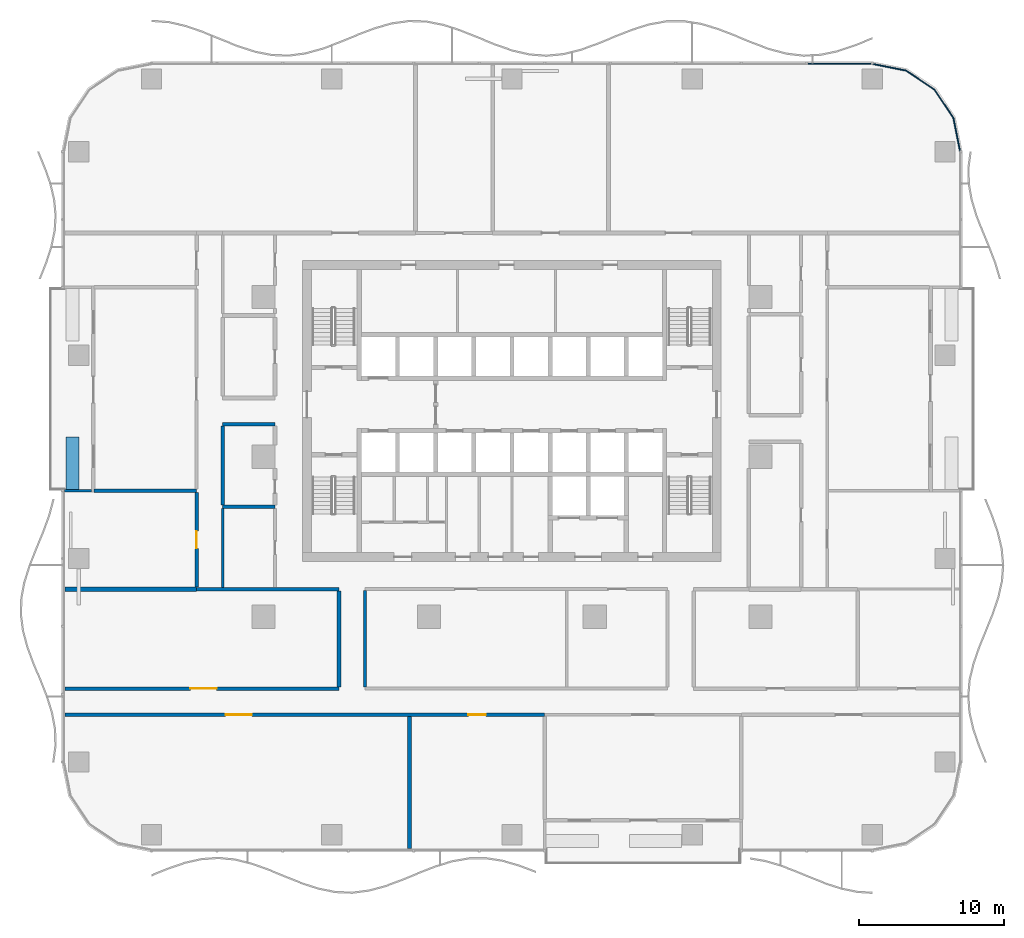
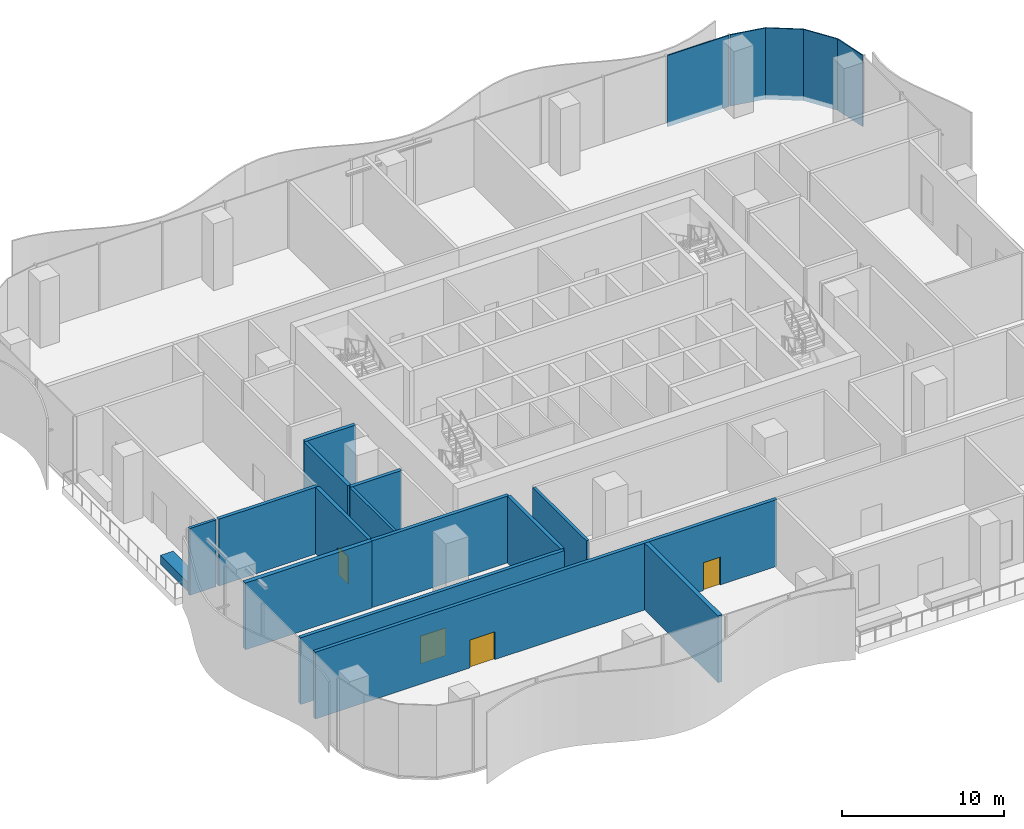
# One storey, part 7 of 20: 15 walls, 4 doors, 2 plates, 4 openings, 2 elements without a shape of their own.
"""IFC4 building model written with IfcOpenShell, lengths in metres."""

from ifc_helpers import new_model, si_unit, direction, frame, frame_2d, origin, origin_2d, place, context, subcontext, project, spatial, polyline, rectangle, outline, extrude, material, layer, layer_set, type_object, element, fill, aggregate, save


model = new_model("IFC4")

# Units and contexts
model_context = context("Model", 3, precision=1e-05, world=origin(), true_north=direction((0.0, 1.0)))
body_context = subcontext(model_context, "Body", "Model", "MODEL_VIEW")
ifc_project = project(units=[si_unit("LENGTHUNIT", "METRE"), si_unit("AREAUNIT", "SQUARE_METRE"), si_unit("VOLUMEUNIT", "CUBIC_METRE"), si_unit("PLANEANGLEUNIT", "RADIAN"), si_unit("MASSUNIT", "GRAM", prefix="KILO")], contexts=[model_context])

# Site, building, storey
site_placement = place(None, origin())
site = spatial("IfcSite", under=ifc_project, at=site_placement, CompositionType="ELEMENT")
building_placement = place(site_placement, origin())
building = spatial("IfcBuilding", under=site, at=building_placement, Name="Mopane Tessera Tower", CompositionType="ELEMENT")
storey_placement = place(building_placement, frame((0.0, 0.0, 25.5)))
storey = spatial("IfcBuildingStorey", under=building, at=storey_placement, Name="L04", CompositionType="ELEMENT", Elevation=25.5)

# Curtain wall, plate
ifc_material_1 = material(Name="Aluminium frame", Category="aluminium")
curtain_wall_type = type_object("IfcCurtainWallType", Name="Podium unitised wall", PredefinedType="NOTDEFINED", material=ifc_material_1)
curtain_wall_1_placement = place(storey_placement, origin())
curtain_wall_1 = element("IfcCurtainWall", 1, at=curtain_wall_1_placement, inside=storey, type_object=curtain_wall_type, Name="e:cw:L04:CE", PredefinedType="NOTDEFINED")
ifc_material_2 = material(Name="Limestone spandrel", Category="masonry")
ifc_layer_1 = layer(ifc_material_2, 0.080078125)
ifc_layer_set_1 = layer_set([ifc_layer_1], Name="Limestone spandrel")
plate_type = type_object("IfcPlateType", Name="Podium stone spandrel unit", PredefinedType="CURTAIN_PANEL", material=ifc_layer_set_1)
plate_1_placement = place(storey_placement, frame((0.0, 0.0, -0.340087890625)))
plate_1 = element("IfcPlate", 2, at=plate_1_placement, type_object=plate_type, Name="e:cw:L04:CE:pn", PredefinedType="CURTAIN_PANEL", context=body_context, shape_type="SweptSolid", body=[
    extrude(outline(polyline([(30.800048828125, 21.0), (30.34326171875, 23.296142578125), (29.042724609375, 25.24267578125), (27.09619140625, 26.543212890625), (24.800048828125, 27.0), (24.800048828125, 27.080078125), (27.126708984375, 26.6171875), (29.09912109375, 25.29931640625), (30.417236328125, 23.32666015625), (30.8798828125, 21.0), (30.800048828125, 21.0)])), origin(), (0.0, 0.0, 1.0), 5.39013671875),
])
aggregate(curtain_wall_1, [plate_1])

curtain_wall_2_placement = place(storey_placement, origin())
curtain_wall_2 = element("IfcCurtainWall", 3, at=curtain_wall_2_placement, inside=storey, type_object=curtain_wall_type, Name="e:cw:L04:N:0", PredefinedType="NOTDEFINED")
plate_2_placement = place(storey_placement, frame((22.54541015625, 27.0400390625, -0.33984375), z_axis=(0.0, 0.0, 1.0), x_axis=(-1.0, 0.0, 0.0)))
plate_2 = element("IfcPlate", 4, at=plate_2_placement, type_object=plate_type, Name="e:cw:L04:N:0:pn0", PredefinedType="CURTAIN_PANEL", context=body_context, shape_type="SweptSolid", body=[
    extrude(rectangle(XDim=4.384033203125, YDim=0.080078125, at=origin_2d()), origin(), (0.0, 0.0, 1.0), 5.389892578125),
])
aggregate(curtain_wall_2, [plate_2])

# Walls
ifc_material_3 = material(Name="Gypsum board on steel studs, two layers each face, mineral wool infill", Category="steel")
ifc_layer_2 = layer(ifc_material_3, 0.199951171875)
ifc_layer_set_2 = layer_set([ifc_layer_2], Name="Gypsum board on steel studs, two layers each face, mineral wool infill")
wall_type_1 = type_object("IfcWallType", Name="Gypsum board corridor wall 200, rated EI 60", PredefinedType="PARTITIONING", material=ifc_layer_set_2)
wall_1_placement = place(storey_placement, frame((-19.89990234375, -8.97509765625, 0.0), z_axis=(0.0, 0.0, 1.0), x_axis=(0.0, 1.0, 0.0)))
element("IfcWall", 5, at=wall_1_placement, inside=storey, type_object=wall_type_1, Name="Partition L04:034", PredefinedType="PARTITIONING", context=body_context, shape_type="SweptSolid", body=[
    extrude(rectangle(XDim=5.425048828125, YDim=0.199951171875, at=frame_2d((2.71240234375, 0.0))), origin(), (0.0, 0.0, 1.0), 5.050048828125),
])
wall_2_placement = place(storey_placement, frame((-10.10009765625, -15.85009765625, 0.0), z_axis=(0.0, 0.0, 1.0), x_axis=(0.0, 1.0, 0.0)))
element("IfcWall", 6, at=wall_2_placement, inside=storey, type_object=wall_type_1, Name="Partition L04:045", PredefinedType="PARTITIONING", context=body_context, shape_type="SweptSolid", body=[
    extrude(rectangle(XDim=6.650146484375, YDim=0.199951171875, at=frame_2d((3.3251953125, 0.0))), origin(), (0.0, 0.0, 1.0), 5.050048828125),
])
ifc_material_4 = material(Name="Reinforced concrete C32/40 with waterproofing", Category="concrete")
ifc_layer_3 = layer(ifc_material_4, 0.89990234375)
ifc_layer_set_3 = layer_set([ifc_layer_3], Name="Reinforced concrete C32/40 with waterproofing")
wall_type_2 = type_object("IfcWallType", Name="Planter trough 3600 x 900", PredefinedType="STANDARD", material=ifc_layer_set_3)
wall_3_placement = place(storey_placement, frame((-30.25, 1.36669921875, 0.0), z_axis=(0.0, 0.0, 1.0), x_axis=(0.0, -1.0, 0.0)))
element("IfcWall", 7, at=wall_3_placement, inside=storey, type_object=wall_type_2, Name="e:nw:L04:N3:pl1", PredefinedType="STANDARD", context=body_context, shape_type="SweptSolid", body=[
    extrude(rectangle(XDim=3.60009765625, YDim=0.89990234375, at=frame_2d((1.800048828125, 0.0))), origin(), (0.0, 0.0, 1.0), 0.699951171875),
])
ifc_material_5 = material(Name="Plastered concrete blockwork C20/25", Category="masonry")
ifc_layer_4 = layer(ifc_material_5, 0.300048828125)
ifc_layer_set_4 = layer_set([ifc_layer_4], Name="Plastered concrete blockwork C20/25")
wall_type_3 = type_object("IfcWallType", Name="Plastered blockwork separation wall 300, rated EI 120", PredefinedType="PARTITIONING", material=ifc_layer_set_4)
wall_4_placement = place(storey_placement, frame((-30.75, -9.10009765625, 0.0), z_axis=(0.0, 0.0, 1.0), x_axis=(1.0, 0.0, 0.0)))
element("IfcWall", 8, at=wall_4_placement, inside=storey, type_object=wall_type_3, Name="Partition L04:012", PredefinedType="PARTITIONING", context=body_context, shape_type="SweptSolid", body=[
    extrude(rectangle(XDim=9.050048828125, YDim=0.300048828125, at=frame_2d((4.52490234375, 0.0))), origin(), (0.0, 0.0, 1.0), 5.050048828125),
])
wall_5_placement = place(storey_placement, frame((-7.050048828125, -26.949951171875, 0.0), z_axis=(0.0, 0.0, 1.0), x_axis=(0.0, 1.0, 0.0)))
element("IfcWall", 9, at=wall_5_placement, inside=storey, type_object=wall_type_3, Name="Partition L04:046", PredefinedType="PARTITIONING", context=body_context, shape_type="SweptSolid", body=[
    extrude(rectangle(XDim=9.074951171875, YDim=0.300048828125, at=frame_2d((4.53759765625, 0.0))), origin(), (0.0, 0.0, 1.0), 5.050048828125),
])

# Wall, openings, doors
ifc_material_6 = material(Name="Plastered concrete blockwork C20/25", Category="masonry")
ifc_layer_5 = layer(ifc_material_6, 0.25)
ifc_layer_set_5 = layer_set([ifc_layer_5], Name="Plastered concrete blockwork C20/25")
wall_type_4 = type_object("IfcWallType", Name="Plastered blockwork wall 250, rated EI 120", PredefinedType="PARTITIONING", material=ifc_layer_set_5)
wall_6_placement = place(storey_placement, frame((-30.75, -17.75, 0.0), z_axis=(0.0, 0.0, 1.0), x_axis=(1.0, 0.0, 0.0)))
wall_6 = element("IfcWall", 10, at=wall_6_placement, inside=storey, type_object=wall_type_4, Name="Partition L04:001", PredefinedType="PARTITIONING", context=body_context, shape_type="SweptSolid", body=[
    extrude(rectangle(XDim=33.0048828125, YDim=0.25, at=frame_2d((16.50244140625, 0.0))), origin(), (0.0, 0.0, 1.0), 5.050048828125),
])
opening_1_placement = place(wall_6_placement, frame((27.75244140625, 0.0, 0.0)))
opening_1 = element("IfcOpeningElement", 11, at=opening_1_placement, cuts=wall_6, Name="Opening L04-04", PredefinedType="OPENING", context=body_context, shape_type="SweptSolid", body=[
    extrude(rectangle(XDim=1.199951171875, YDim=2.10009765625, at=frame_2d((0.60009765625, 1.050048828125))), frame((0.0, 0.136962890625, 0.0), z_axis=(0.0, -1.0, 0.0), x_axis=(1.0, 0.0, 0.0)), (0.0, 0.0, 1.0), 0.27392578125),
])
opening_2_placement = place(wall_6_placement, frame((11.050048828125, 0.0, 0.0)))
opening_2 = element("IfcOpeningElement", 12, at=opening_2_placement, cuts=wall_6, Name="Opening L04-09", PredefinedType="OPENING", context=body_context, shape_type="SweptSolid", body=[
    extrude(rectangle(XDim=1.800048828125, YDim=2.10009765625, at=frame_2d((0.89990234375, 1.050048828125))), frame((0.0, 0.136962890625, 0.0), z_axis=(0.0, -1.0, 0.0), x_axis=(1.0, 0.0, 0.0)), (0.0, 0.0, 1.0), 0.27392578125),
])
ifc_material_7 = material(Name="Timber veneered steel-framed fire door", Category="steel")
door_type_1 = type_object("IfcDoorType", Name="Fire door FD120 1200 x 2100", OperationType="SINGLE_SWING_LEFT", PredefinedType="DOOR", material=ifc_material_7)
door_1_placement = place(opening_1_placement, origin())
door_1 = element("IfcDoor", 13, at=door_1_placement, inside=storey, type_object=door_type_1, Name="Door L04-04", ObjectType="D15B", OperationType="SINGLE_SWING_LEFT", OverallHeight=2.10009765625, OverallWidth=1.199951171875, PredefinedType="DOOR", context=body_context, shape_type="SweptSolid", body=[
    extrude(rectangle(XDim=1.199951171875, YDim=2.10009765625, at=frame_2d((0.60009765625, 1.050048828125))), frame((0.0, 0.02490234375, 0.0), z_axis=(0.0, -1.0, 0.0), x_axis=(1.0, 0.0, 0.0)), (0.0, 0.0, 1.0), 0.050048828125),
])
fill(opening_1, door_1)
ifc_material_8 = material(Name="Timber veneered steel-framed fire door", Category="steel")
door_type_2 = type_object("IfcDoorType", Name="Fire door pair FD120 1800 x 2100", OperationType="DOUBLE_DOOR_SINGLE_SWING", PredefinedType="DOOR", material=ifc_material_8)
door_2_placement = place(opening_2_placement, origin())
door_2 = element("IfcDoor", 14, at=door_2_placement, inside=storey, type_object=door_type_2, Name="Door L04-09", ObjectType="D20B", OperationType="DOUBLE_DOOR_SINGLE_SWING", OverallHeight=2.10009765625, OverallWidth=1.800048828125, PredefinedType="DOOR", context=body_context, shape_type="SweptSolid", body=[
    extrude(rectangle(XDim=1.800048828125, YDim=2.10009765625, at=frame_2d((0.89990234375, 1.050048828125))), frame((0.0, 0.02490234375, 0.0), z_axis=(0.0, -1.0, 0.0), x_axis=(1.0, 0.0, 0.0)), (0.0, 0.0, 1.0), 0.050048828125),
])
fill(opening_2, door_2)

# Wall, opening, door
wall_7_placement = place(storey_placement, frame((-30.75, -15.949951171875, 0.0), z_axis=(0.0, 0.0, 1.0), x_axis=(1.0, 0.0, 0.0)))
wall_7 = element("IfcWall", 15, at=wall_7_placement, inside=storey, type_object=wall_type_4, Name="Partition L04:005", PredefinedType="PARTITIONING", context=body_context, shape_type="SweptSolid", body=[
    extrude(rectangle(XDim=18.85009765625, YDim=0.25, at=frame_2d((9.425048828125, 0.0))), origin(), (0.0, 0.0, 1.0), 5.050048828125),
])
opening_3_placement = place(wall_7_placement, frame((8.625, 0.0, 0.0)))
opening_3 = element("IfcOpeningElement", 16, at=opening_3_placement, cuts=wall_7, Name="Opening L04-13", PredefinedType="OPENING", context=body_context, shape_type="SweptSolid", body=[
    extrude(rectangle(XDim=1.800048828125, YDim=2.10009765625, at=frame_2d((0.89990234375, 1.050048828125))), frame((0.0, 0.136962890625, 0.0), z_axis=(0.0, -1.0, 0.0), x_axis=(1.0, 0.0, 0.0)), (0.0, 0.0, 1.0), 0.27392578125),
])
door_3_placement = place(opening_3_placement, origin())
door_3 = element("IfcDoor", 17, at=door_3_placement, inside=storey, type_object=door_type_2, Name="Door L04-13", ObjectType="D20B", OperationType="DOUBLE_DOOR_SINGLE_SWING", OverallHeight=2.10009765625, OverallWidth=1.800048828125, PredefinedType="DOOR", context=body_context, shape_type="SweptSolid", body=[
    extrude(rectangle(XDim=1.800048828125, YDim=2.10009765625, at=frame_2d((0.89990234375, 1.050048828125))), frame((0.0, 0.02490234375, 0.0), z_axis=(0.0, -1.0, 0.0), x_axis=(1.0, 0.0, 0.0)), (0.0, 0.0, 1.0), 0.050048828125),
])
fill(opening_3, door_3)

# Walls
wall_8_placement = place(storey_placement, frame((-21.699951171875, -9.10009765625, 0.0), z_axis=(0.0, 0.0, 1.0), x_axis=(1.0, 0.0, 0.0)))
element("IfcWall", 18, at=wall_8_placement, inside=storey, type_object=wall_type_4, Name="Partition L04:009", PredefinedType="PARTITIONING", context=body_context, shape_type="SweptSolid", body=[
    extrude(rectangle(XDim=9.800048828125, YDim=0.25, at=frame_2d((4.89990234375, 0.0))), origin(), (0.0, 0.0, 1.0), 5.050048828125),
])
wall_9_placement = place(storey_placement, frame((-19.89990234375, -3.425048828125, 0.0), z_axis=(0.0, 0.0, 1.0), x_axis=(1.0, 0.0, 0.0)))
element("IfcWall", 19, at=wall_9_placement, inside=storey, type_object=wall_type_4, Name="Partition L04:014", PredefinedType="PARTITIONING", context=body_context, shape_type="SweptSolid", body=[
    extrude(rectangle(XDim=3.599853515625, YDim=0.25, at=frame_2d((1.7998046875, 0.0))), origin(), (0.0, 0.0, 1.0), 5.050048828125),
])
wall_10_placement = place(storey_placement, frame((-28.75, -2.3349609375, 0.0), z_axis=(0.0, 0.0, 1.0), x_axis=(1.0, 0.0, 0.0)))
element("IfcWall", 20, at=wall_10_placement, inside=storey, type_object=wall_type_4, Name="Partition L04:016", PredefinedType="PARTITIONING", context=body_context, shape_type="SweptSolid", body=[
    extrude(rectangle(XDim=7.050048828125, YDim=0.25, at=frame_2d((3.52490234375, 0.0))), origin(), (0.0, 0.0, 1.0), 5.050048828125),
])
wall_11_placement = place(storey_placement, frame((-19.89990234375, 2.25, 0.0), z_axis=(0.0, 0.0, 1.0), x_axis=(1.0, 0.0, 0.0)))
element("IfcWall", 21, at=wall_11_placement, inside=storey, type_object=wall_type_4, Name="Partition L04:018", PredefinedType="PARTITIONING", context=body_context, shape_type="SweptSolid", body=[
    extrude(rectangle(XDim=3.599853515625, YDim=0.25, at=frame_2d((1.7998046875, 0.0))), origin(), (0.0, 0.0, 1.0), 5.050048828125),
])

# Wall, opening, door
wall_12_placement = place(storey_placement, frame((-21.699951171875, -8.949951171875, 0.0), z_axis=(0.0, 0.0, 1.0), x_axis=(0.0, 1.0, 0.0)))
wall_12 = element("IfcWall", 22, at=wall_12_placement, inside=storey, type_object=wall_type_4, Name="Partition L04:032", PredefinedType="PARTITIONING", context=body_context, shape_type="SweptSolid", body=[
    extrude(rectangle(XDim=6.489990234375, YDim=0.25, at=frame_2d((3.2451171875, 0.0))), origin(), (0.0, 0.0, 1.0), 5.050048828125),
])
opening_4_placement = place(wall_12_placement, frame((2.64501953125, 0.0, 0.0)))
opening_4 = element("IfcOpeningElement", 23, at=opening_4_placement, cuts=wall_12, Name="Opening L04-05", PredefinedType="OPENING", context=body_context, shape_type="SweptSolid", body=[
    extrude(rectangle(XDim=1.199951171875, YDim=2.10009765625, at=frame_2d((0.60009765625, 1.050048828125))), frame((0.0, 0.136962890625, 0.0), z_axis=(0.0, -1.0, 0.0), x_axis=(1.0, 0.0, 0.0)), (0.0, 0.0, 1.0), 0.27392578125),
])
door_4_placement = place(opening_4_placement, origin())
door_4 = element("IfcDoor", 24, at=door_4_placement, inside=storey, type_object=door_type_1, Name="Door L04-05", ObjectType="D15B", OperationType="SINGLE_SWING_LEFT", OverallHeight=2.10009765625, OverallWidth=1.199951171875, PredefinedType="DOOR", context=body_context, shape_type="SweptSolid", body=[
    extrude(rectangle(XDim=1.199951171875, YDim=2.10009765625, at=frame_2d((0.60009765625, 1.050048828125))), frame((0.0, 0.02490234375, 0.0), z_axis=(0.0, -1.0, 0.0), x_axis=(1.0, 0.0, 0.0)), (0.0, 0.0, 1.0), 0.050048828125),
])
fill(opening_4, door_4)

# Walls
wall_13_placement = place(storey_placement, frame((-19.89990234375, -3.300048828125, 0.0), z_axis=(0.0, 0.0, 1.0), x_axis=(0.0, 1.0, 0.0)))
element("IfcWall", 25, at=wall_13_placement, inside=storey, type_object=wall_type_4, Name="Partition L04:036", PredefinedType="PARTITIONING", context=body_context, shape_type="SweptSolid", body=[
    extrude(rectangle(XDim=5.425048828125, YDim=0.25, at=frame_2d((2.71240234375, 0.0))), origin(), (0.0, 0.0, 1.0), 5.050048828125),
])
wall_14_placement = place(storey_placement, frame((-11.89990234375, -15.824951171875, 0.0), z_axis=(0.0, 0.0, 1.0), x_axis=(0.0, 1.0, 0.0)))
element("IfcWall", 26, at=wall_14_placement, inside=storey, type_object=wall_type_4, Name="Partition L04:044", PredefinedType="PARTITIONING", context=body_context, shape_type="SweptSolid", body=[
    extrude(rectangle(XDim=6.599853515625, YDim=0.25, at=frame_2d((3.2998046875, 0.0))), origin(), (0.0, 0.0, 1.0), 5.050048828125),
])
ifc_material_9 = material(Name="Blockwork with glazed tile facing", Category="masonry")
ifc_layer_6 = layer(ifc_material_9, 0.199951171875)
ifc_layer_set_6 = layer_set([ifc_layer_6], Name="Blockwork with glazed tile facing")
wall_type_5 = type_object("IfcWallType", Name="Terrace cheek wall 200", PredefinedType="STANDARD", material=ifc_layer_set_6)
wall_15_placement = place(storey_placement, frame((-30.800048828125, -2.333251953125, 0.0), z_axis=(0.0, 0.0, 1.0), x_axis=(1.0, 0.0, 0.0)))
element("IfcWall", 27, at=wall_15_placement, inside=storey, type_object=wall_type_5, Name="e:nw:L04:N3:cheekb", PredefinedType="STANDARD", context=body_context, shape_type="SweptSolid", body=[
    extrude(rectangle(XDim=1.875, YDim=0.199951171875, at=frame_2d((0.9375, 0.0))), origin(), (0.0, 0.0, 1.0), 5.050048828125),
])

save(model, "model.ifc")
